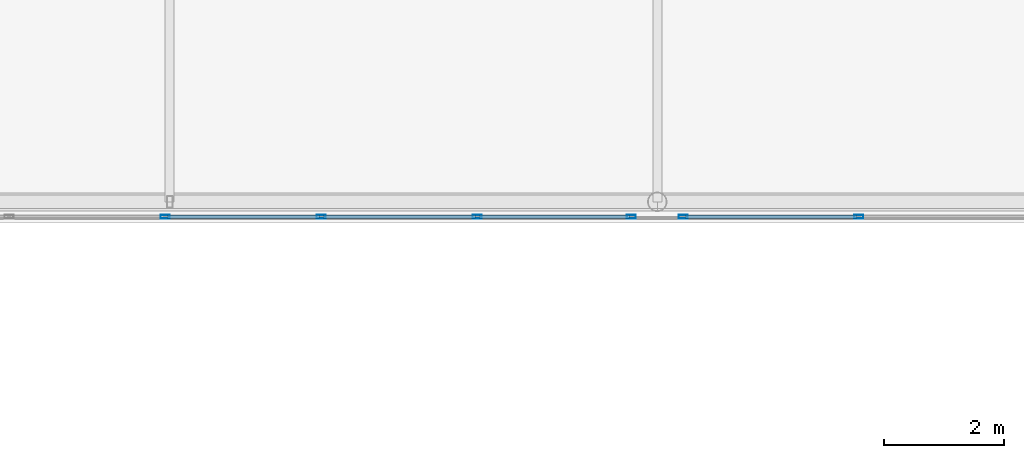
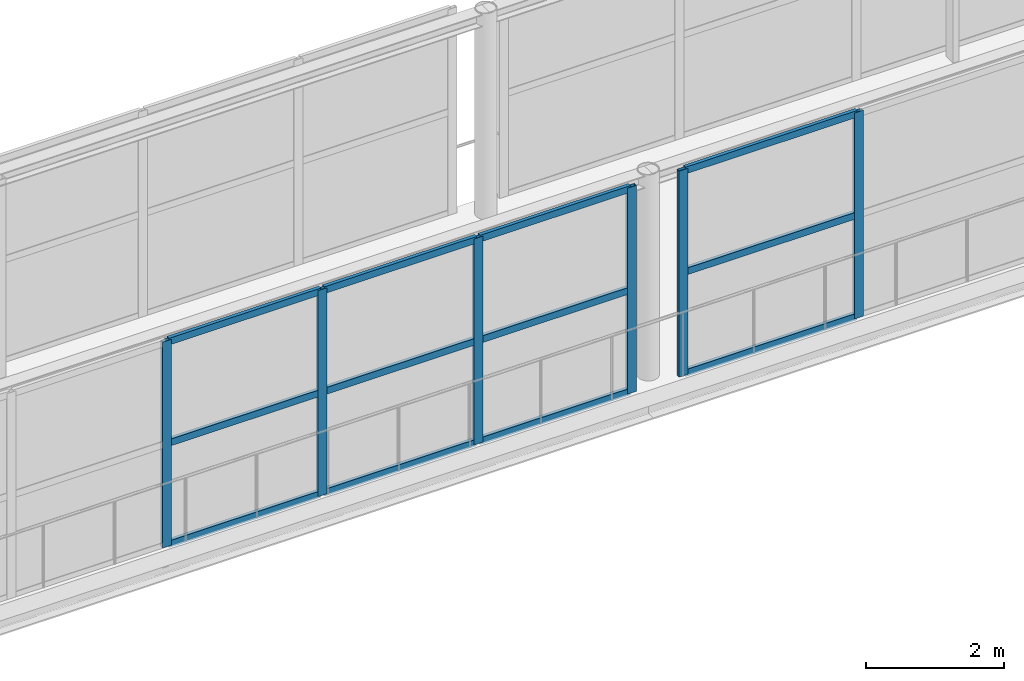
# One storey, part 59 of 167: 18 members, 2 elements without a shape of their own.
"""IFC4 building model written with IfcOpenShell, lengths in metres."""

from ifc_helpers import new_model, si_unit, direction, frame, origin, origin_2d, place, context, subcontext, project, spatial, hollow_rectangle, extrude, material, layer, layer_set, material_profile, profile_set, type_object, element, aggregate, save


model = new_model("IFC4")

# Units and contexts
model_context = context("Model", 3, precision=1e-05, world=origin(), true_north=direction((0.0, 1.0)))
body_context = subcontext(model_context, "Body", "Model", "MODEL_VIEW")
ifc_project = project(units=[si_unit("LENGTHUNIT", "METRE"), si_unit("AREAUNIT", "SQUARE_METRE"), si_unit("VOLUMEUNIT", "CUBIC_METRE"), si_unit("PLANEANGLEUNIT", "RADIAN"), si_unit("MASSUNIT", "GRAM", prefix="KILO")], contexts=[model_context])

# Site, building, storey
site_placement = place(None, origin())
site = spatial("IfcSite", under=ifc_project, at=site_placement, CompositionType="ELEMENT")
building_placement = place(site_placement, origin())
building = spatial("IfcBuilding", under=site, at=building_placement, Name="Zizhar Promenade General Hospital", CompositionType="ELEMENT")
storey_placement = place(building_placement, frame((0.0, 0.0, 9.60009765625)))
storey = spatial("IfcBuildingStorey", under=building, at=storey_placement, Name="L02", CompositionType="ELEMENT", Elevation=9.60009765625)

# Curtain wall, members
ifc_material_1 = material(Name="Anodised aluminium 6063-T6 and low-E glass", Category="aluminium")
ifc_layer = layer(ifc_material_1, 0.159912109375)
ifc_layer_set = layer_set([ifc_layer], Name="Anodised aluminium 6063-T6 and low-E glass")
curtain_wall_type = type_object("IfcCurtainWallType", Name="CW-SKY-GLZ", PredefinedType="NOTDEFINED", material=ifc_layer_set)
curtain_wall_1_placement = place(storey_placement, origin())
curtain_wall_1 = element("IfcCurtainWall", 1, at=curtain_wall_1_placement, inside=storey, type_object=curtain_wall_type, Name="Courtyard Surgical-Clinic Skybridge Level L02 South Glazing 1", PredefinedType="NOTDEFINED")
ifc_material_2 = material(Name="Anodised aluminium 6063-T6", Category="aluminium")
ifc_material_profile_1 = material_profile(ifc_material_2, hollow_rectangle(XDim=0.06005859375, YDim=0.14990234375, WallThickness=0.00390625, at=origin_2d()))
ifc_profile_set_1 = profile_set([ifc_material_profile_1], Name="Anodised aluminium 6063-T6")
member_type_1 = type_object("IfcMemberType", Name="CWM-ALU-150x60", PredefinedType="MULLION", material=ifc_profile_set_1)
member_1_placement = place(storey_placement, frame((85.3701171875, 77.5, 0.0), z_axis=(0.0, 0.0, 1.0), x_axis=(0.0, -1.0, 0.0)))
member_1 = element("IfcMember", 2, at=member_1_placement, type_object=member_type_1, Name="CW-15 mullion 1", PredefinedType="MULLION", context=body_context, shape_type="SweptSolid", body=[
    extrude(hollow_rectangle(XDim=0.06005859375, YDim=0.14990234375, WallThickness=0.00390625, at=origin_2d()), origin(), (0.0, 0.0, 1.0), 3.639892578125),
])
member_2_placement = place(storey_placement, frame((82.800048828125, 77.5, 0.0), z_axis=(0.0, 0.0, 1.0), x_axis=(0.0, -1.0, 0.0)))
member_2 = element("IfcMember", 3, at=member_2_placement, type_object=member_type_1, Name="CW-15 mullion 2", PredefinedType="MULLION", context=body_context, shape_type="SweptSolid", body=[
    extrude(hollow_rectangle(XDim=0.06005859375, YDim=0.14990234375, WallThickness=0.00390625, at=origin_2d()), origin(), (0.0, 0.0, 1.0), 3.639892578125),
])
member_3_placement = place(storey_placement, frame((80.199951171875, 77.5, 0.0), z_axis=(0.0, 0.0, 1.0), x_axis=(0.0, -1.0, 0.0)))
member_3 = element("IfcMember", 4, at=member_3_placement, type_object=member_type_1, Name="CW-15 mullion 3", PredefinedType="MULLION", context=body_context, shape_type="SweptSolid", body=[
    extrude(hollow_rectangle(XDim=0.06005859375, YDim=0.14990234375, WallThickness=0.00390625, at=origin_2d()), origin(), (0.0, 0.0, 1.0), 3.639892578125),
])
member_4_placement = place(storey_placement, frame((77.60009765625, 77.5, 0.0), z_axis=(0.0, 0.0, 1.0), x_axis=(0.0, -1.0, 0.0)))
member_4 = element("IfcMember", 5, at=member_4_placement, type_object=member_type_1, Name="CW-15 mullion 4", PredefinedType="MULLION", context=body_context, shape_type="SweptSolid", body=[
    extrude(hollow_rectangle(XDim=0.06005859375, YDim=0.14990234375, WallThickness=0.00390625, at=origin_2d()), origin(), (0.0, 0.0, 1.0), 3.639892578125),
])

curtain_wall_2_placement = place(storey_placement, origin())
curtain_wall_2 = element("IfcCurtainWall", 6, at=curtain_wall_2_placement, inside=storey, type_object=curtain_wall_type, Name="Courtyard Surgical-Clinic Skybridge Level L02 South Glazing 2", PredefinedType="NOTDEFINED")
member_5_placement = place(storey_placement, frame((89.159912109375, 77.5, 0.0), z_axis=(0.0, 0.0, 1.0), x_axis=(0.0, -1.0, 0.0)))
member_5 = element("IfcMember", 7, at=member_5_placement, type_object=member_type_1, Name="CW-15 mullion 5", PredefinedType="MULLION", context=body_context, shape_type="SweptSolid", body=[
    extrude(hollow_rectangle(XDim=0.06005859375, YDim=0.14990234375, WallThickness=0.00390625, at=origin_2d()), origin(), (0.0, 0.0, 1.0), 3.639892578125),
])
member_6_placement = place(storey_placement, frame((86.22998046875, 77.5, 0.0), z_axis=(0.0, 0.0, 1.0), x_axis=(0.0, -1.0, 0.0)))
member_6 = element("IfcMember", 8, at=member_6_placement, type_object=member_type_1, Name="CW-15 mullion 6", PredefinedType="MULLION", context=body_context, shape_type="SweptSolid", body=[
    extrude(hollow_rectangle(XDim=0.06005859375, YDim=0.14990234375, WallThickness=0.00390625, at=origin_2d()), origin(), (0.0, 0.0, 1.0), 3.639892578125),
])

# Member
ifc_material_3 = material(Name="Anodised aluminium 6063-T6", Category="aluminium")
ifc_material_profile_2 = material_profile(ifc_material_3, hollow_rectangle(XDim=0.06005859375, YDim=0.1201171875, WallThickness=0.00390625, at=origin_2d()))
ifc_profile_set_2 = profile_set([ifc_material_profile_2], Name="Anodised aluminium 6063-T6")
member_type_2 = type_object("IfcMemberType", Name="CWT-ALU-120x60", PredefinedType="USERDEFINED", material=ifc_profile_set_2)
member_7_placement = place(storey_placement, frame((85.340087890625, 77.5, 0.02978515625), z_axis=(-1.0, 0.0, 0.0), x_axis=(0.0, -1.0, 0.0)))
member_7 = element("IfcMember", 9, at=member_7_placement, type_object=member_type_2, Name="CW-15 transom 1.1", ObjectType="TRANSOM", PredefinedType="USERDEFINED", context=body_context, shape_type="SweptSolid", body=[
    extrude(hollow_rectangle(XDim=0.06005859375, YDim=0.1201171875, WallThickness=0.00390625, at=origin_2d()), origin(), (0.0, 0.0, 1.0), 2.510009765625),
])

member_8_placement = place(storey_placement, frame((85.340087890625, 77.5, 1.81982421875), z_axis=(-1.0, 0.0, 0.0), x_axis=(0.0, -1.0, 0.0)))
member_8 = element("IfcMember", 10, at=member_8_placement, type_object=member_type_2, Name="CW-15 transom 1.2", ObjectType="TRANSOM", PredefinedType="USERDEFINED", context=body_context, shape_type="SweptSolid", body=[
    extrude(hollow_rectangle(XDim=0.06005859375, YDim=0.1201171875, WallThickness=0.00390625, at=origin_2d()), origin(), (0.0, 0.0, 1.0), 2.510009765625),
])

member_9_placement = place(storey_placement, frame((85.340087890625, 77.5, 3.60986328125), z_axis=(-1.0, 0.0, 0.0), x_axis=(0.0, -1.0, 0.0)))
member_9 = element("IfcMember", 11, at=member_9_placement, type_object=member_type_2, Name="CW-15 transom 1.3", ObjectType="TRANSOM", PredefinedType="USERDEFINED", context=body_context, shape_type="SweptSolid", body=[
    extrude(hollow_rectangle(XDim=0.06005859375, YDim=0.1201171875, WallThickness=0.00390625, at=origin_2d()), origin(), (0.0, 0.0, 1.0), 2.510009765625),
])

member_10_placement = place(storey_placement, frame((82.77001953125, 77.5, 0.02978515625), z_axis=(-1.0, 0.0, 0.0), x_axis=(0.0, -1.0, 0.0)))
member_10 = element("IfcMember", 12, at=member_10_placement, type_object=member_type_2, Name="CW-15 transom 2.1", ObjectType="TRANSOM", PredefinedType="USERDEFINED", context=body_context, shape_type="SweptSolid", body=[
    extrude(hollow_rectangle(XDim=0.06005859375, YDim=0.1201171875, WallThickness=0.00390625, at=origin_2d()), origin(), (0.0, 0.0, 1.0), 2.5400390625),
])

member_11_placement = place(storey_placement, frame((82.77001953125, 77.5, 1.81982421875), z_axis=(-1.0, 0.0, 0.0), x_axis=(0.0, -1.0, 0.0)))
member_11 = element("IfcMember", 13, at=member_11_placement, type_object=member_type_2, Name="CW-15 transom 2.2", ObjectType="TRANSOM", PredefinedType="USERDEFINED", context=body_context, shape_type="SweptSolid", body=[
    extrude(hollow_rectangle(XDim=0.06005859375, YDim=0.1201171875, WallThickness=0.00390625, at=origin_2d()), origin(), (0.0, 0.0, 1.0), 2.5400390625),
])

member_12_placement = place(storey_placement, frame((82.77001953125, 77.5, 3.60986328125), z_axis=(-1.0, 0.0, 0.0), x_axis=(0.0, -1.0, 0.0)))
member_12 = element("IfcMember", 14, at=member_12_placement, type_object=member_type_2, Name="CW-15 transom 2.3", ObjectType="TRANSOM", PredefinedType="USERDEFINED", context=body_context, shape_type="SweptSolid", body=[
    extrude(hollow_rectangle(XDim=0.06005859375, YDim=0.1201171875, WallThickness=0.00390625, at=origin_2d()), origin(), (0.0, 0.0, 1.0), 2.5400390625),
])

member_13_placement = place(storey_placement, frame((80.169921875, 77.5, 0.02978515625), z_axis=(-1.0, 0.0, 0.0), x_axis=(0.0, -1.0, 0.0)))
member_13 = element("IfcMember", 15, at=member_13_placement, type_object=member_type_2, Name="CW-15 transom 3.1", ObjectType="TRANSOM", PredefinedType="USERDEFINED", context=body_context, shape_type="SweptSolid", body=[
    extrude(hollow_rectangle(XDim=0.06005859375, YDim=0.1201171875, WallThickness=0.00390625, at=origin_2d()), origin(), (0.0, 0.0, 1.0), 2.5400390625),
])

member_14_placement = place(storey_placement, frame((80.169921875, 77.5, 1.81982421875), z_axis=(-1.0, 0.0, 0.0), x_axis=(0.0, -1.0, 0.0)))
member_14 = element("IfcMember", 16, at=member_14_placement, type_object=member_type_2, Name="CW-15 transom 3.2", ObjectType="TRANSOM", PredefinedType="USERDEFINED", context=body_context, shape_type="SweptSolid", body=[
    extrude(hollow_rectangle(XDim=0.06005859375, YDim=0.1201171875, WallThickness=0.00390625, at=origin_2d()), origin(), (0.0, 0.0, 1.0), 2.5400390625),
])

member_15_placement = place(storey_placement, frame((80.169921875, 77.5, 3.60986328125), z_axis=(-1.0, 0.0, 0.0), x_axis=(0.0, -1.0, 0.0)))
member_15 = element("IfcMember", 17, at=member_15_placement, type_object=member_type_2, Name="CW-15 transom 3.3", ObjectType="TRANSOM", PredefinedType="USERDEFINED", context=body_context, shape_type="SweptSolid", body=[
    extrude(hollow_rectangle(XDim=0.06005859375, YDim=0.1201171875, WallThickness=0.00390625, at=origin_2d()), origin(), (0.0, 0.0, 1.0), 2.5400390625),
])

aggregate(curtain_wall_1, [member_1, member_2, member_3, member_4, member_7, member_8, member_9, member_10, member_11, member_12, member_13, member_14, member_15])

member_16_placement = place(storey_placement, frame((89.1298828125, 77.5, 0.02978515625), z_axis=(-1.0, 0.0, 0.0), x_axis=(0.0, -1.0, 0.0)))
member_16 = element("IfcMember", 18, at=member_16_placement, type_object=member_type_2, Name="CW-15 transom 5.1", ObjectType="TRANSOM", PredefinedType="USERDEFINED", context=body_context, shape_type="SweptSolid", body=[
    extrude(hollow_rectangle(XDim=0.06005859375, YDim=0.1201171875, WallThickness=0.00390625, at=origin_2d()), origin(), (0.0, 0.0, 1.0), 2.869873046875),
])

member_17_placement = place(storey_placement, frame((89.1298828125, 77.5, 1.81982421875), z_axis=(-1.0, 0.0, 0.0), x_axis=(0.0, -1.0, 0.0)))
member_17 = element("IfcMember", 19, at=member_17_placement, type_object=member_type_2, Name="CW-15 transom 5.2", ObjectType="TRANSOM", PredefinedType="USERDEFINED", context=body_context, shape_type="SweptSolid", body=[
    extrude(hollow_rectangle(XDim=0.06005859375, YDim=0.1201171875, WallThickness=0.00390625, at=origin_2d()), origin(), (0.0, 0.0, 1.0), 2.869873046875),
])

member_18_placement = place(storey_placement, frame((89.1298828125, 77.5, 3.60986328125), z_axis=(-1.0, 0.0, 0.0), x_axis=(0.0, -1.0, 0.0)))
member_18 = element("IfcMember", 20, at=member_18_placement, type_object=member_type_2, Name="CW-15 transom 5.3", ObjectType="TRANSOM", PredefinedType="USERDEFINED", context=body_context, shape_type="SweptSolid", body=[
    extrude(hollow_rectangle(XDim=0.06005859375, YDim=0.1201171875, WallThickness=0.00390625, at=origin_2d()), origin(), (0.0, 0.0, 1.0), 2.869873046875),
])

aggregate(curtain_wall_2, [member_5, member_6, member_16, member_17, member_18])

save(model, "model.ifc")
